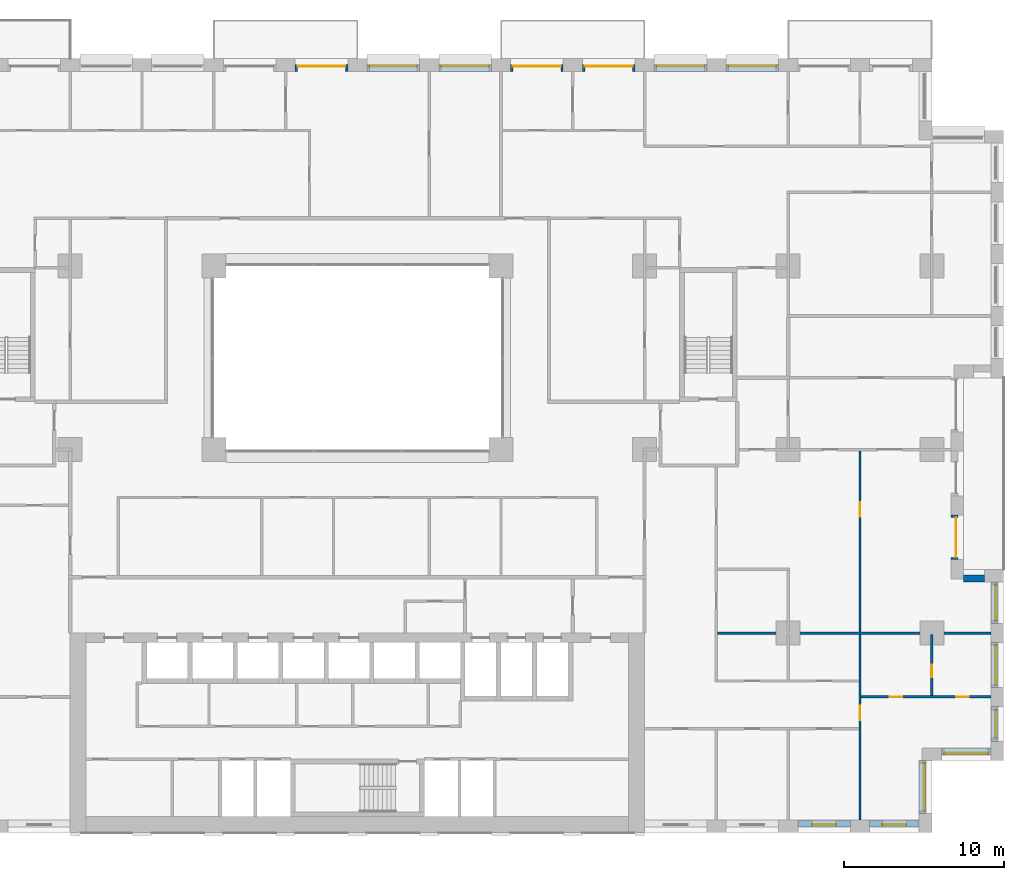
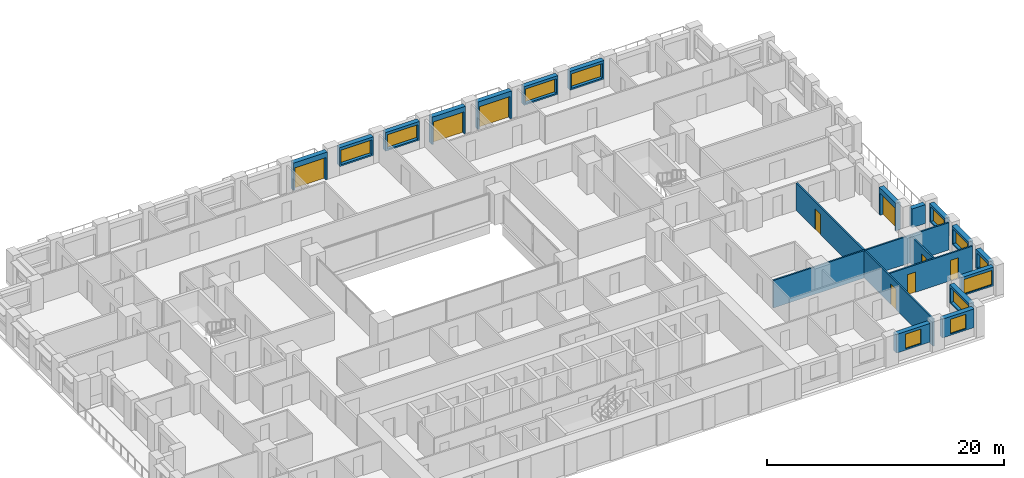
# One storey, part 17 of 21: 21 walls, 11 windows, 9 doors, 20 openings.
"""IFC4 building model written with IfcOpenShell, lengths in metres."""

from ifc_helpers import new_model, si_unit, direction, frame, frame_2d, origin, place, context, subcontext, project, spatial, rectangle, extrude, material, layer, layer_set, type_object, element, fill, save


model = new_model("IFC4")

# Units and contexts
model_context = context("Model", 3, precision=1e-05, world=origin(), true_north=direction((0.0, 1.0)))
body_context = subcontext(model_context, "Body", "Model", "MODEL_VIEW")
ifc_project = project(units=[si_unit("LENGTHUNIT", "METRE"), si_unit("AREAUNIT", "SQUARE_METRE"), si_unit("VOLUMEUNIT", "CUBIC_METRE"), si_unit("PLANEANGLEUNIT", "RADIAN"), si_unit("MASSUNIT", "GRAM", prefix="KILO")], contexts=[model_context])

# Site, building, storey
site_placement = place(None, origin())
site = spatial("IfcSite", under=ifc_project, at=site_placement, CompositionType="ELEMENT")
building_placement = place(site_placement, origin())
building = spatial("IfcBuilding", under=site, at=building_placement, Name="Brigalow Station Residences", CompositionType="ELEMENT")
storey_placement = place(building_placement, frame((0.0, 0.0, 47.85009765625)))
storey = spatial("IfcBuildingStorey", under=building, at=storey_placement, Name="L13", CompositionType="ELEMENT", Elevation=47.85009765625)

# Wall, opening, window
ifc_material_1 = material(Name="Clay brick masonry", Category="masonry")
ifc_layer_1 = layer(ifc_material_1, 0.449951171875)
ifc_layer_set_1 = layer_set([ifc_layer_1], Name="BRICK INFILL WALL 450")
wall_type_1 = type_object("IfcWallType", Name="BRICK INFILL WALL 450", PredefinedType="SOLIDWALL", material=ifc_layer_set_1)
wall_1_placement = place(storey_placement, frame((63.60009765625, 0.574951171875, 0.89990234375), z_axis=(0.0, 0.0, 1.0), x_axis=(1.0, 0.0, 0.0)))
wall_1 = element("IfcWall", 1, at=wall_1_placement, inside=storey, type_object=wall_type_1, Name="L13/ewall/W-L13-7", PredefinedType="SOLIDWALL", context=body_context, shape_type="SweptSolid", body=[
    extrude(rectangle(XDim=3.2998046875, YDim=0.449951171875, at=frame_2d((1.64990234375, 0.0))), origin(), (0.0, 0.0, 1.0), 1.929931640625),
])
opening_1_placement = place(wall_1_placement, frame((0.89990234375, 0.0, 0.14990234375)))
opening_1 = element("IfcOpeningElement", 2, at=opening_1_placement, cuts=wall_1, Name="Opening WT-1", PredefinedType="OPENING", context=body_context, shape_type="SweptSolid", body=[
    extrude(rectangle(XDim=1.5, YDim=1.5, at=frame_2d((0.75, 0.75))), frame((0.0, 0.23486328125, 0.0), z_axis=(0.0, -1.0, 0.0), x_axis=(1.0, 0.0, 0.0)), (0.0, 0.0, 1.0), 0.469970703125),
])
ifc_material_2 = material(Name="Anodised aluminium frame with double glazing", Category="aluminium")
window_type_1 = type_object("IfcWindowType", Name="WINDOW 1500x1500", PartitioningType="SINGLE_PANEL", PredefinedType="WINDOW", material=ifc_material_2)
window_1_placement = place(opening_1_placement, origin())
window_1 = element("IfcWindow", 3, at=window_1_placement, inside=storey, type_object=window_type_1, Name="L13/window/W-L13-7", OverallHeight=1.5, OverallWidth=1.5, PartitioningType="SINGLE_PANEL", PredefinedType="WINDOW", context=body_context, shape_type="SweptSolid", body=[
    extrude(rectangle(XDim=1.5, YDim=1.5, at=frame_2d((0.75, 0.75))), frame((0.0, -0.06494140625, 0.0), z_axis=(0.0, -1.0, 0.0), x_axis=(1.0, 0.0, 0.0)), (0.0, 0.0, 1.0), 0.06005859375),
])
fill(opening_1, window_1)

wall_2_placement = place(storey_placement, frame((68.10009765625, 0.574951171875, 0.89990234375), z_axis=(0.0, 0.0, 1.0), x_axis=(1.0, 0.0, 0.0)))
wall_2 = element("IfcWall", 4, at=wall_2_placement, inside=storey, type_object=wall_type_1, Name="L13/ewall/W-L13-8", PredefinedType="SOLIDWALL", context=body_context, shape_type="SweptSolid", body=[
    extrude(rectangle(XDim=3.099853515625, YDim=0.449951171875, at=frame_2d((1.5498046875, 0.0))), origin(), (0.0, 0.0, 1.0), 1.929931640625),
])
opening_2_placement = place(wall_2_placement, frame((0.800048828125, 0.0, 0.14990234375)))
opening_2 = element("IfcOpeningElement", 5, at=opening_2_placement, cuts=wall_2, Name="Opening WT-1", PredefinedType="OPENING", context=body_context, shape_type="SweptSolid", body=[
    extrude(rectangle(XDim=1.5, YDim=1.5, at=frame_2d((0.75, 0.75))), frame((0.0, 0.23486328125, 0.0), z_axis=(0.0, -1.0, 0.0), x_axis=(1.0, 0.0, 0.0)), (0.0, 0.0, 1.0), 0.469970703125),
])
window_2_placement = place(opening_2_placement, origin())
window_2 = element("IfcWindow", 6, at=window_2_placement, inside=storey, type_object=window_type_1, Name="L13/window/W-L13-8", OverallHeight=1.5, OverallWidth=1.5, PartitioningType="SINGLE_PANEL", PredefinedType="WINDOW", context=body_context, shape_type="SweptSolid", body=[
    extrude(rectangle(XDim=1.5, YDim=1.5, at=frame_2d((0.75, 0.75))), frame((0.0, -0.06494140625, 0.0), z_axis=(0.0, -1.0, 0.0), x_axis=(1.0, 0.0, 0.0)), (0.0, 0.0, 1.0), 0.06005859375),
])
fill(opening_2, window_2)

wall_3_placement = place(storey_placement, frame((71.425048828125, 1.199951171875, 0.89990234375), z_axis=(0.0, 0.0, 1.0), x_axis=(0.0, 1.0, 0.0)))
wall_3 = element("IfcWall", 7, at=wall_3_placement, inside=storey, type_object=wall_type_1, Name="L13/ewall/W-L13-9", PredefinedType="SOLIDWALL", context=body_context, shape_type="SweptSolid", body=[
    extrude(rectangle(XDim=3.300048828125, YDim=0.449951171875, at=frame_2d((1.64990234375, 0.0))), origin(), (0.0, 0.0, 1.0), 1.929931640625),
])
opening_3_placement = place(wall_3_placement, frame((0.14990234375, 0.0, 0.14990234375)))
opening_3 = element("IfcOpeningElement", 8, at=opening_3_placement, cuts=wall_3, Name="Opening WT-2", PredefinedType="OPENING", context=body_context, shape_type="SweptSolid", body=[
    extrude(rectangle(XDim=3.0, YDim=1.5, at=frame_2d((1.5, 0.75))), frame((0.0, 0.23486328125, 0.0), z_axis=(0.0, -1.0, 0.0), x_axis=(1.0, 0.0, 0.0)), (0.0, 0.0, 1.0), 0.469970703125),
])
ifc_material_3 = material(Name="Anodised aluminium frame with double glazing", Category="aluminium")
window_type_2 = type_object("IfcWindowType", Name="WINDOW 3000x1500", PartitioningType="SINGLE_PANEL", PredefinedType="WINDOW", material=ifc_material_3)
window_3_placement = place(opening_3_placement, origin())
window_3 = element("IfcWindow", 9, at=window_3_placement, inside=storey, type_object=window_type_2, Name="L13/window/W-L13-9", OverallHeight=1.5, OverallWidth=3.0, PartitioningType="SINGLE_PANEL", PredefinedType="WINDOW", context=body_context, shape_type="SweptSolid", body=[
    extrude(rectangle(XDim=3.0, YDim=1.5, at=frame_2d((1.5, 0.75))), frame((0.0, -0.06494140625, 0.0), z_axis=(0.0, -1.0, 0.0), x_axis=(1.0, 0.0, 0.0)), (0.0, 0.0, 1.0), 0.06005859375),
])
fill(opening_3, window_3)

wall_4_placement = place(storey_placement, frame((72.60009765625, 5.074951171875, 0.89990234375), z_axis=(0.0, 0.0, 1.0), x_axis=(1.0, 0.0, 0.0)))
wall_4 = element("IfcWall", 10, at=wall_4_placement, inside=storey, type_object=wall_type_1, Name="L13/ewall/W-L13-10", PredefinedType="SOLIDWALL", context=body_context, shape_type="SweptSolid", body=[
    extrude(rectangle(XDim=3.099853515625, YDim=0.449951171875, at=frame_2d((1.5498046875, 0.0))), origin(), (0.0, 0.0, 1.0), 1.929931640625),
])
opening_4_placement = place(wall_4_placement, frame((0.175048828125, 0.0, 0.14990234375)))
opening_4 = element("IfcOpeningElement", 11, at=opening_4_placement, cuts=wall_4, Name="Opening WT-3", PredefinedType="OPENING", context=body_context, shape_type="SweptSolid", body=[
    extrude(rectangle(XDim=2.75, YDim=1.5, at=frame_2d((1.375, 0.75))), frame((0.0, 0.23486328125, 0.0), z_axis=(0.0, -1.0, 0.0), x_axis=(1.0, 0.0, 0.0)), (0.0, 0.0, 1.0), 0.469970703125),
])
ifc_material_4 = material(Name="Anodised aluminium frame with double glazing", Category="aluminium")
window_type_3 = type_object("IfcWindowType", Name="WINDOW 2750x1500", PartitioningType="SINGLE_PANEL", PredefinedType="WINDOW", material=ifc_material_4)
window_4_placement = place(opening_4_placement, origin())
window_4 = element("IfcWindow", 12, at=window_4_placement, inside=storey, type_object=window_type_3, Name="L13/window/W-L13-10", OverallHeight=1.5, OverallWidth=2.75, PartitioningType="SINGLE_PANEL", PredefinedType="WINDOW", context=body_context, shape_type="SweptSolid", body=[
    extrude(rectangle(XDim=2.75, YDim=1.5, at=frame_2d((1.375, 0.75))), frame((0.0, -0.06494140625, 0.0), z_axis=(0.0, -1.0, 0.0), x_axis=(1.0, 0.0, 0.0)), (0.0, 0.0, 1.0), 0.06005859375),
])
fill(opening_4, window_4)

wall_5_placement = place(storey_placement, frame((75.925048828125, 5.699951171875, 0.89990234375), z_axis=(0.0, 0.0, 1.0), x_axis=(0.0, 1.0, 0.0)))
wall_5 = element("IfcWall", 13, at=wall_5_placement, inside=storey, type_object=wall_type_1, Name="L13/ewall/W-L13-11", PredefinedType="SOLIDWALL", context=body_context, shape_type="SweptSolid", body=[
    extrude(rectangle(XDim=2.199951171875, YDim=0.449951171875, at=frame_2d((1.10009765625, 0.0))), origin(), (0.0, 0.0, 1.0), 1.929931640625),
])
opening_5_placement = place(wall_5_placement, frame((0.22509765625, 0.0, 0.14990234375)))
opening_5 = element("IfcOpeningElement", 14, at=opening_5_placement, cuts=wall_5, Name="Opening WT-4", PredefinedType="OPENING", context=body_context, shape_type="SweptSolid", body=[
    extrude(rectangle(XDim=1.75, YDim=1.5, at=frame_2d((0.875, 0.75))), frame((0.0, 0.23486328125, 0.0), z_axis=(0.0, -1.0, 0.0), x_axis=(1.0, 0.0, 0.0)), (0.0, 0.0, 1.0), 0.469970703125),
])
ifc_material_5 = material(Name="Anodised aluminium frame with double glazing", Category="aluminium")
window_type_4 = type_object("IfcWindowType", Name="WINDOW 1750x1500", PartitioningType="SINGLE_PANEL", PredefinedType="WINDOW", material=ifc_material_5)
window_5_placement = place(opening_5_placement, origin())
window_5 = element("IfcWindow", 15, at=window_5_placement, inside=storey, type_object=window_type_4, Name="L13/window/W-L13-11", OverallHeight=1.5, OverallWidth=1.75, PartitioningType="SINGLE_PANEL", PredefinedType="WINDOW", context=body_context, shape_type="SweptSolid", body=[
    extrude(rectangle(XDim=1.75, YDim=1.5, at=frame_2d((0.875, 0.75))), frame((0.0, -0.06494140625, 0.0), z_axis=(0.0, -1.0, 0.0), x_axis=(1.0, 0.0, 0.0)), (0.0, 0.0, 1.0), 0.06005859375),
])
fill(opening_5, window_5)

wall_6_placement = place(storey_placement, frame((75.925048828125, 9.10009765625, 0.89990234375), z_axis=(0.0, 0.0, 1.0), x_axis=(0.0, 1.0, 0.0)))
wall_6 = element("IfcWall", 16, at=wall_6_placement, inside=storey, type_object=wall_type_1, Name="L13/ewall/W-L13-12", PredefinedType="SOLIDWALL", context=body_context, shape_type="SweptSolid", body=[
    extrude(rectangle(XDim=2.7998046875, YDim=0.449951171875, at=frame_2d((1.39990234375, 0.0))), origin(), (0.0, 0.0, 1.0), 1.929931640625),
])
opening_6_placement = place(wall_6_placement, frame((0.14990234375, 0.0, 0.14990234375)))
opening_6 = element("IfcOpeningElement", 17, at=opening_6_placement, cuts=wall_6, Name="Opening WT-5", PredefinedType="OPENING", context=body_context, shape_type="SweptSolid", body=[
    extrude(rectangle(XDim=2.5, YDim=1.5, at=frame_2d((1.25, 0.75))), frame((0.0, 0.23486328125, 0.0), z_axis=(0.0, -1.0, 0.0), x_axis=(1.0, 0.0, 0.0)), (0.0, 0.0, 1.0), 0.469970703125),
])
ifc_material_6 = material(Name="Anodised aluminium frame with double glazing", Category="aluminium")
window_type_5 = type_object("IfcWindowType", Name="WINDOW 2500x1500", PartitioningType="SINGLE_PANEL", PredefinedType="WINDOW", material=ifc_material_6)
window_6_placement = place(opening_6_placement, origin())
window_6 = element("IfcWindow", 18, at=window_6_placement, inside=storey, type_object=window_type_5, Name="L13/window/W-L13-12", OverallHeight=1.5, OverallWidth=2.5, PartitioningType="SINGLE_PANEL", PredefinedType="WINDOW", context=body_context, shape_type="SweptSolid", body=[
    extrude(rectangle(XDim=2.5, YDim=1.5, at=frame_2d((1.25, 0.75))), frame((0.0, -0.06494140625, 0.0), z_axis=(0.0, -1.0, 0.0), x_axis=(1.0, 0.0, 0.0)), (0.0, 0.0, 1.0), 0.06005859375),
])
fill(opening_6, window_6)

wall_7_placement = place(storey_placement, frame((75.925048828125, 13.10009765625, 0.89990234375), z_axis=(0.0, 0.0, 1.0), x_axis=(0.0, 1.0, 0.0)))
wall_7 = element("IfcWall", 19, at=wall_7_placement, inside=storey, type_object=wall_type_1, Name="L13/ewall/W-L13-13", PredefinedType="SOLIDWALL", context=body_context, shape_type="SweptSolid", body=[
    extrude(rectangle(XDim=2.599853515625, YDim=0.449951171875, at=frame_2d((1.2998046875, 0.0))), origin(), (0.0, 0.0, 1.0), 1.929931640625),
])
opening_7_placement = place(wall_7_placement, frame((0.175048828125, 0.0, 0.14990234375)))
opening_7 = element("IfcOpeningElement", 20, at=opening_7_placement, cuts=wall_7, Name="Opening WT-6", PredefinedType="OPENING", context=body_context, shape_type="SweptSolid", body=[
    extrude(rectangle(XDim=2.25, YDim=1.5, at=frame_2d((1.125, 0.75))), frame((0.0, 0.23486328125, 0.0), z_axis=(0.0, -1.0, 0.0), x_axis=(1.0, 0.0, 0.0)), (0.0, 0.0, 1.0), 0.469970703125),
])
ifc_material_7 = material(Name="Anodised aluminium frame with double glazing", Category="aluminium")
window_type_6 = type_object("IfcWindowType", Name="WINDOW 2250x1500", PartitioningType="SINGLE_PANEL", PredefinedType="WINDOW", material=ifc_material_7)
window_7_placement = place(opening_7_placement, origin())
window_7 = element("IfcWindow", 21, at=window_7_placement, inside=storey, type_object=window_type_6, Name="L13/window/W-L13-13", OverallHeight=1.5, OverallWidth=2.25, PartitioningType="SINGLE_PANEL", PredefinedType="WINDOW", context=body_context, shape_type="SweptSolid", body=[
    extrude(rectangle(XDim=2.25, YDim=1.5, at=frame_2d((1.125, 0.75))), frame((0.0, -0.06494140625, 0.0), z_axis=(0.0, -1.0, 0.0), x_axis=(1.0, 0.0, 0.0)), (0.0, 0.0, 1.0), 0.06005859375),
])
fill(opening_7, window_7)

# Wall
wall_8_placement = place(storey_placement, frame((75.300048828125, 15.925048828125, 0.89990234375), z_axis=(0.0, 0.0, 1.0), x_axis=(-1.0, 0.0, 0.0)))
element("IfcWall", 22, at=wall_8_placement, inside=storey, type_object=wall_type_1, Name="L13/ewall/W-L13-14", PredefinedType="SOLIDWALL", context=body_context, shape_type="SweptSolid", body=[
    extrude(rectangle(XDim=1.300048828125, YDim=0.449951171875, at=frame_2d((0.64990234375, 0.0))), origin(), (0.0, 0.0, 1.0), 1.929931640625),
])

# Wall, opening, door
wall_9_placement = place(storey_placement, frame((73.425048828125, 17.10009765625, 0.0), z_axis=(0.0, 0.0, 1.0), x_axis=(0.0, 1.0, 0.0)))
wall_9 = element("IfcWall", 23, at=wall_9_placement, inside=storey, type_object=wall_type_1, Name="L13/ewall/W-L13-15", PredefinedType="SOLIDWALL", context=body_context, shape_type="SweptSolid", body=[
    extrude(rectangle(XDim=2.7998046875, YDim=0.449951171875, at=frame_2d((1.39990234375, 0.0))), origin(), (0.0, 0.0, 1.0), 2.829833984375),
])
opening_8_placement = place(wall_9_placement, frame((0.14990234375, 0.0, 0.0)))
opening_8 = element("IfcOpeningElement", 24, at=opening_8_placement, cuts=wall_9, Name="Opening D-B2500", PredefinedType="OPENING", context=body_context, shape_type="SweptSolid", body=[
    extrude(rectangle(XDim=2.5, YDim=2.300048828125, at=frame_2d((1.25, 1.14990234375))), frame((0.0, 0.23486328125, 0.0), z_axis=(0.0, -1.0, 0.0), x_axis=(1.0, 0.0, 0.0)), (0.0, 0.0, 1.0), 0.469970703125),
])
ifc_material_8 = material(Name="Anodised aluminium frame with double glazing", Category="aluminium")
door_type_1 = type_object("IfcDoorType", Name="BALCONY SLIDING DOOR 2500x2300", OperationType="SLIDING_TO_LEFT", PredefinedType="DOOR", material=ifc_material_8)
door_1_placement = place(opening_8_placement, origin())
door_1 = element("IfcDoor", 25, at=door_1_placement, inside=storey, type_object=door_type_1, Name="L13/balcony-door/W-L13-15", OperationType="SLIDING_TO_LEFT", OverallHeight=2.300048828125, OverallWidth=2.5, PredefinedType="DOOR", context=body_context, shape_type="SweptSolid", body=[
    extrude(rectangle(XDim=2.5, YDim=2.300048828125, at=frame_2d((1.25, 1.14990234375))), frame((0.0, -0.06982421875, 0.0), z_axis=(0.0, -1.0, 0.0), x_axis=(1.0, 0.0, 0.0)), (0.0, 0.0, 1.0), 0.050048828125),
])
fill(opening_8, door_1)

# Wall, opening, window
wall_10_placement = place(storey_placement, frame((62.39990234375, 47.925048828125, 0.89990234375), z_axis=(0.0, 0.0, 1.0), x_axis=(-1.0, 0.0, 0.0)))
wall_10 = element("IfcWall", 26, at=wall_10_placement, inside=storey, type_object=wall_type_1, Name="L13/ewall/W-L13-27", PredefinedType="SOLIDWALL", context=body_context, shape_type="SweptSolid", body=[
    extrude(rectangle(XDim=3.2998046875, YDim=0.449951171875, at=frame_2d((1.64990234375, 0.0))), origin(), (0.0, 0.0, 1.0), 1.929931640625),
])
opening_9_placement = place(wall_10_placement, frame((0.14990234375, 0.0, 0.14990234375)))
opening_9 = element("IfcOpeningElement", 27, at=opening_9_placement, cuts=wall_10, Name="Opening WT-2", PredefinedType="OPENING", context=body_context, shape_type="SweptSolid", body=[
    extrude(rectangle(XDim=3.0, YDim=1.5, at=frame_2d((1.5, 0.75))), frame((0.0, 0.23486328125, 0.0), z_axis=(0.0, -1.0, 0.0), x_axis=(1.0, 0.0, 0.0)), (0.0, 0.0, 1.0), 0.469970703125),
])
window_8_placement = place(opening_9_placement, origin())
window_8 = element("IfcWindow", 28, at=window_8_placement, inside=storey, type_object=window_type_2, Name="L13/window/W-L13-27", OverallHeight=1.5, OverallWidth=3.0, PartitioningType="SINGLE_PANEL", PredefinedType="WINDOW", context=body_context, shape_type="SweptSolid", body=[
    extrude(rectangle(XDim=3.0, YDim=1.5, at=frame_2d((1.5, 0.75))), frame((0.0, -0.06494140625, 0.0), z_axis=(0.0, -1.0, 0.0), x_axis=(1.0, 0.0, 0.0)), (0.0, 0.0, 1.0), 0.06005859375),
])
fill(opening_9, window_8)

wall_11_placement = place(storey_placement, frame((57.89990234375, 47.925048828125, 0.89990234375), z_axis=(0.0, 0.0, 1.0), x_axis=(-1.0, 0.0, 0.0)))
wall_11 = element("IfcWall", 29, at=wall_11_placement, inside=storey, type_object=wall_type_1, Name="L13/ewall/W-L13-28", PredefinedType="SOLIDWALL", context=body_context, shape_type="SweptSolid", body=[
    extrude(rectangle(XDim=3.2998046875, YDim=0.449951171875, at=frame_2d((1.64990234375, 0.0))), origin(), (0.0, 0.0, 1.0), 1.929931640625),
])
opening_10_placement = place(wall_11_placement, frame((0.14990234375, 0.0, 0.14990234375)))
opening_10 = element("IfcOpeningElement", 30, at=opening_10_placement, cuts=wall_11, Name="Opening WT-2", PredefinedType="OPENING", context=body_context, shape_type="SweptSolid", body=[
    extrude(rectangle(XDim=3.0, YDim=1.5, at=frame_2d((1.5, 0.75))), frame((0.0, 0.23486328125, 0.0), z_axis=(0.0, -1.0, 0.0), x_axis=(1.0, 0.0, 0.0)), (0.0, 0.0, 1.0), 0.469970703125),
])
window_9_placement = place(opening_10_placement, origin())
window_9 = element("IfcWindow", 31, at=window_9_placement, inside=storey, type_object=window_type_2, Name="L13/window/W-L13-28", OverallHeight=1.5, OverallWidth=3.0, PartitioningType="SINGLE_PANEL", PredefinedType="WINDOW", context=body_context, shape_type="SweptSolid", body=[
    extrude(rectangle(XDim=3.0, YDim=1.5, at=frame_2d((1.5, 0.75))), frame((0.0, -0.06494140625, 0.0), z_axis=(0.0, -1.0, 0.0), x_axis=(1.0, 0.0, 0.0)), (0.0, 0.0, 1.0), 0.06005859375),
])
fill(opening_10, window_9)

# Wall, opening, door
wall_12_placement = place(storey_placement, frame((53.39990234375, 47.925048828125, 0.0), z_axis=(0.0, 0.0, 1.0), x_axis=(-1.0, 0.0, 0.0)))
wall_12 = element("IfcWall", 32, at=wall_12_placement, inside=storey, type_object=wall_type_1, Name="L13/ewall/W-L13-29", PredefinedType="SOLIDWALL", context=body_context, shape_type="SweptSolid", body=[
    extrude(rectangle(XDim=3.2998046875, YDim=0.449951171875, at=frame_2d((1.64990234375, 0.0))), origin(), (0.0, 0.0, 1.0), 2.829833984375),
])
opening_11_placement = place(wall_12_placement, frame((0.14990234375, 0.0, 0.0)))
opening_11 = element("IfcOpeningElement", 33, at=opening_11_placement, cuts=wall_12, Name="Opening D-B3000", PredefinedType="OPENING", context=body_context, shape_type="SweptSolid", body=[
    extrude(rectangle(XDim=3.0, YDim=2.300048828125, at=frame_2d((1.5, 1.14990234375))), frame((0.0, 0.23486328125, 0.0), z_axis=(0.0, -1.0, 0.0), x_axis=(1.0, 0.0, 0.0)), (0.0, 0.0, 1.0), 0.469970703125),
])
ifc_material_9 = material(Name="Anodised aluminium frame with double glazing", Category="aluminium")
door_type_2 = type_object("IfcDoorType", Name="BALCONY SLIDING DOOR 3000x2300", OperationType="SLIDING_TO_LEFT", PredefinedType="DOOR", material=ifc_material_9)
door_2_placement = place(opening_11_placement, origin())
door_2 = element("IfcDoor", 34, at=door_2_placement, inside=storey, type_object=door_type_2, Name="L13/balcony-door/W-L13-29", OperationType="SLIDING_TO_LEFT", OverallHeight=2.300048828125, OverallWidth=3.0, PredefinedType="DOOR", context=body_context, shape_type="SweptSolid", body=[
    extrude(rectangle(XDim=3.0, YDim=2.300048828125, at=frame_2d((1.5, 1.14990234375))), frame((0.0, -0.06982421875, 0.0), z_axis=(0.0, -1.0, 0.0), x_axis=(1.0, 0.0, 0.0)), (0.0, 0.0, 1.0), 0.050048828125),
])
fill(opening_11, door_2)

wall_13_placement = place(storey_placement, frame((48.89990234375, 47.925048828125, 0.0), z_axis=(0.0, 0.0, 1.0), x_axis=(-1.0, 0.0, 0.0)))
wall_13 = element("IfcWall", 35, at=wall_13_placement, inside=storey, type_object=wall_type_1, Name="L13/ewall/W-L13-30", PredefinedType="SOLIDWALL", context=body_context, shape_type="SweptSolid", body=[
    extrude(rectangle(XDim=3.2998046875, YDim=0.449951171875, at=frame_2d((1.64990234375, 0.0))), origin(), (0.0, 0.0, 1.0), 2.829833984375),
])
opening_12_placement = place(wall_13_placement, frame((0.14990234375, 0.0, 0.0)))
opening_12 = element("IfcOpeningElement", 36, at=opening_12_placement, cuts=wall_13, Name="Opening D-B3000", PredefinedType="OPENING", context=body_context, shape_type="SweptSolid", body=[
    extrude(rectangle(XDim=3.0, YDim=2.300048828125, at=frame_2d((1.5, 1.14990234375))), frame((0.0, 0.23486328125, 0.0), z_axis=(0.0, -1.0, 0.0), x_axis=(1.0, 0.0, 0.0)), (0.0, 0.0, 1.0), 0.469970703125),
])
door_3_placement = place(opening_12_placement, origin())
door_3 = element("IfcDoor", 37, at=door_3_placement, inside=storey, type_object=door_type_2, Name="L13/balcony-door/W-L13-30", OperationType="SLIDING_TO_LEFT", OverallHeight=2.300048828125, OverallWidth=3.0, PredefinedType="DOOR", context=body_context, shape_type="SweptSolid", body=[
    extrude(rectangle(XDim=3.0, YDim=2.300048828125, at=frame_2d((1.5, 1.14990234375))), frame((0.0, -0.06982421875, 0.0), z_axis=(0.0, -1.0, 0.0), x_axis=(1.0, 0.0, 0.0)), (0.0, 0.0, 1.0), 0.050048828125),
])
fill(opening_12, door_3)

# Wall, opening, window
wall_14_placement = place(storey_placement, frame((44.39990234375, 47.925048828125, 0.89990234375), z_axis=(0.0, 0.0, 1.0), x_axis=(-1.0, 0.0, 0.0)))
wall_14 = element("IfcWall", 38, at=wall_14_placement, inside=storey, type_object=wall_type_1, Name="L13/ewall/W-L13-31", PredefinedType="SOLIDWALL", context=body_context, shape_type="SweptSolid", body=[
    extrude(rectangle(XDim=3.2998046875, YDim=0.449951171875, at=frame_2d((1.64990234375, 0.0))), origin(), (0.0, 0.0, 1.0), 1.929931640625),
])
opening_13_placement = place(wall_14_placement, frame((0.14990234375, 0.0, 0.14990234375)))
opening_13 = element("IfcOpeningElement", 39, at=opening_13_placement, cuts=wall_14, Name="Opening WT-2", PredefinedType="OPENING", context=body_context, shape_type="SweptSolid", body=[
    extrude(rectangle(XDim=3.0, YDim=1.5, at=frame_2d((1.5, 0.75))), frame((0.0, 0.23486328125, 0.0), z_axis=(0.0, -1.0, 0.0), x_axis=(1.0, 0.0, 0.0)), (0.0, 0.0, 1.0), 0.469970703125),
])
window_10_placement = place(opening_13_placement, origin())
window_10 = element("IfcWindow", 40, at=window_10_placement, inside=storey, type_object=window_type_2, Name="L13/window/W-L13-31", OverallHeight=1.5, OverallWidth=3.0, PartitioningType="SINGLE_PANEL", PredefinedType="WINDOW", context=body_context, shape_type="SweptSolid", body=[
    extrude(rectangle(XDim=3.0, YDim=1.5, at=frame_2d((1.5, 0.75))), frame((0.0, -0.06494140625, 0.0), z_axis=(0.0, -1.0, 0.0), x_axis=(1.0, 0.0, 0.0)), (0.0, 0.0, 1.0), 0.06005859375),
])
fill(opening_13, window_10)

wall_15_placement = place(storey_placement, frame((39.89990234375, 47.925048828125, 0.89990234375), z_axis=(0.0, 0.0, 1.0), x_axis=(-1.0, 0.0, 0.0)))
wall_15 = element("IfcWall", 41, at=wall_15_placement, inside=storey, type_object=wall_type_1, Name="L13/ewall/W-L13-32", PredefinedType="SOLIDWALL", context=body_context, shape_type="SweptSolid", body=[
    extrude(rectangle(XDim=3.2998046875, YDim=0.449951171875, at=frame_2d((1.64990234375, 0.0))), origin(), (0.0, 0.0, 1.0), 1.929931640625),
])
opening_14_placement = place(wall_15_placement, frame((0.14990234375, 0.0, 0.14990234375)))
opening_14 = element("IfcOpeningElement", 42, at=opening_14_placement, cuts=wall_15, Name="Opening WT-2", PredefinedType="OPENING", context=body_context, shape_type="SweptSolid", body=[
    extrude(rectangle(XDim=3.0, YDim=1.5, at=frame_2d((1.5, 0.75))), frame((0.0, 0.23486328125, 0.0), z_axis=(0.0, -1.0, 0.0), x_axis=(1.0, 0.0, 0.0)), (0.0, 0.0, 1.0), 0.469970703125),
])
window_11_placement = place(opening_14_placement, origin())
window_11 = element("IfcWindow", 43, at=window_11_placement, inside=storey, type_object=window_type_2, Name="L13/window/W-L13-32", OverallHeight=1.5, OverallWidth=3.0, PartitioningType="SINGLE_PANEL", PredefinedType="WINDOW", context=body_context, shape_type="SweptSolid", body=[
    extrude(rectangle(XDim=3.0, YDim=1.5, at=frame_2d((1.5, 0.75))), frame((0.0, -0.06494140625, 0.0), z_axis=(0.0, -1.0, 0.0), x_axis=(1.0, 0.0, 0.0)), (0.0, 0.0, 1.0), 0.06005859375),
])
fill(opening_14, window_11)

# Wall, opening, door
wall_16_placement = place(storey_placement, frame((35.39990234375, 47.925048828125, 0.0), z_axis=(0.0, 0.0, 1.0), x_axis=(-1.0, 0.0, 0.0)))
wall_16 = element("IfcWall", 44, at=wall_16_placement, inside=storey, type_object=wall_type_1, Name="L13/ewall/W-L13-33", PredefinedType="SOLIDWALL", context=body_context, shape_type="SweptSolid", body=[
    extrude(rectangle(XDim=3.2998046875, YDim=0.449951171875, at=frame_2d((1.64990234375, 0.0))), origin(), (0.0, 0.0, 1.0), 2.829833984375),
])
opening_15_placement = place(wall_16_placement, frame((0.14990234375, 0.0, 0.0)))
opening_15 = element("IfcOpeningElement", 45, at=opening_15_placement, cuts=wall_16, Name="Opening D-B3000", PredefinedType="OPENING", context=body_context, shape_type="SweptSolid", body=[
    extrude(rectangle(XDim=3.0, YDim=2.300048828125, at=frame_2d((1.5, 1.14990234375))), frame((0.0, 0.23486328125, 0.0), z_axis=(0.0, -1.0, 0.0), x_axis=(1.0, 0.0, 0.0)), (0.0, 0.0, 1.0), 0.469970703125),
])
door_4_placement = place(opening_15_placement, origin())
door_4 = element("IfcDoor", 46, at=door_4_placement, inside=storey, type_object=door_type_2, Name="L13/balcony-door/W-L13-33", OperationType="SLIDING_TO_LEFT", OverallHeight=2.300048828125, OverallWidth=3.0, PredefinedType="DOOR", context=body_context, shape_type="SweptSolid", body=[
    extrude(rectangle(XDim=3.0, YDim=2.300048828125, at=frame_2d((1.5, 1.14990234375))), frame((0.0, -0.06982421875, 0.0), z_axis=(0.0, -1.0, 0.0), x_axis=(1.0, 0.0, 0.0)), (0.0, 0.0, 1.0), 0.050048828125),
])
fill(opening_15, door_4)

# Wall, openings, doors
ifc_material_10 = material(Name="Plasterboard on steel stud partition", Category="steel")
ifc_layer_2 = layer(ifc_material_10, 0.14990234375)
ifc_layer_set_2 = layer_set([ifc_layer_2], Name="FLAT PARTITION 150")
wall_type_2 = type_object("IfcWallType", Name="FLAT PARTITION 150", PredefinedType="PARTITIONING", material=ifc_layer_set_2)
wall_17_placement = place(storey_placement, frame((67.574951171875, 8.5, 0.0), z_axis=(0.0, 0.0, 1.0), x_axis=(1.0, 0.0, 0.0)))
wall_17 = element("IfcWall", 47, at=wall_17_placement, inside=storey, type_object=wall_type_2, Name="PW-1D12", PredefinedType="PARTITIONING", context=body_context, shape_type="SweptSolid", body=[
    extrude(rectangle(XDim=8.125, YDim=0.14990234375, at=frame_2d((4.0625, 0.0))), origin(), (0.0, 0.0, 1.0), 2.829833984375),
])
opening_16_placement = place(wall_17_placement, frame((5.949951171875, 0.0, 0.0)))
opening_16 = element("IfcOpeningElement", 48, at=opening_16_placement, cuts=wall_17, Name="Opening D-1D57", PredefinedType="OPENING", context=body_context, shape_type="SweptSolid", body=[
    extrude(rectangle(XDim=0.800048828125, YDim=2.10009765625, at=frame_2d((0.39990234375, 1.050048828125))), frame((0.0, 0.0849609375, 0.0), z_axis=(0.0, -1.0, 0.0), x_axis=(1.0, 0.0, 0.0)), (0.0, 0.0, 1.0), 0.169921875),
])
opening_17_placement = place(wall_17_placement, frame((1.77490234375, 0.0, 0.0)))
opening_17 = element("IfcOpeningElement", 49, at=opening_17_placement, cuts=wall_17, Name="Opening D-1D65", PredefinedType="OPENING", context=body_context, shape_type="SweptSolid", body=[
    extrude(rectangle(XDim=0.800048828125, YDim=2.10009765625, at=frame_2d((0.39990234375, 1.050048828125))), frame((0.0, 0.0849609375, 0.0), z_axis=(0.0, -1.0, 0.0), x_axis=(1.0, 0.0, 0.0)), (0.0, 0.0, 1.0), 0.169921875),
])
ifc_material_11 = material(Name="Solid-core timber door leaf", Category="wood")
door_type_3 = type_object("IfcDoorType", Name="INTERNAL DOOR 800 x 2100", OperationType="SINGLE_SWING_LEFT", PredefinedType="DOOR", material=ifc_material_11)
door_5_placement = place(opening_16_placement, origin())
door_5 = element("IfcDoor", 50, at=door_5_placement, inside=storey, type_object=door_type_3, Name="D-1D57", OperationType="SINGLE_SWING_RIGHT", OverallHeight=2.10009765625, OverallWidth=0.800048828125, PredefinedType="DOOR", context=body_context, shape_type="SweptSolid", body=[
    extrude(rectangle(XDim=0.800048828125, YDim=2.10009765625, at=frame_2d((0.39990234375, 1.050048828125))), frame((0.0, 0.02490234375, 0.0), z_axis=(0.0, -1.0, 0.0), x_axis=(1.0, 0.0, 0.0)), (0.0, 0.0, 1.0), 0.050048828125),
])
fill(opening_16, door_5)
door_6_placement = place(opening_17_placement, origin())
door_6 = element("IfcDoor", 51, at=door_6_placement, inside=storey, type_object=door_type_3, Name="D-1D65", OperationType="SINGLE_SWING_LEFT", OverallHeight=2.10009765625, OverallWidth=0.800048828125, PredefinedType="DOOR", context=body_context, shape_type="SweptSolid", body=[
    extrude(rectangle(XDim=0.800048828125, YDim=2.10009765625, at=frame_2d((0.39990234375, 1.050048828125))), frame((0.0, 0.02490234375, 0.0), z_axis=(0.0, -1.0, 0.0), x_axis=(1.0, 0.0, 0.0)), (0.0, 0.0, 1.0), 0.050048828125),
])
fill(opening_17, door_6)

# Wall
wall_18_placement = place(storey_placement, frame((58.574951171875, 12.5, 0.0), z_axis=(0.0, 0.0, 1.0), x_axis=(1.0, 0.0, 0.0)))
element("IfcWall", 52, at=wall_18_placement, inside=storey, type_object=wall_type_2, Name="PW-1D14", PredefinedType="PARTITIONING", context=body_context, shape_type="SweptSolid", body=[
    extrude(rectangle(XDim=17.125, YDim=0.14990234375, at=frame_2d((8.5625, 0.0))), origin(), (0.0, 0.0, 1.0), 2.829833984375),
])

# Wall, opening, door
wall_19_placement = place(storey_placement, frame((72.0, 8.574951171875, 0.0), z_axis=(0.0, 0.0, 1.0), x_axis=(0.0, 1.0, 0.0)))
wall_19 = element("IfcWall", 53, at=wall_19_placement, inside=storey, type_object=wall_type_2, Name="PW-1D75", PredefinedType="PARTITIONING", context=body_context, shape_type="SweptSolid", body=[
    extrude(rectangle(XDim=3.85009765625, YDim=0.14990234375, at=frame_2d((1.925048828125, 0.0))), origin(), (0.0, 0.0, 1.0), 2.829833984375),
])
opening_18_placement = place(wall_19_placement, frame((1.14990234375, 0.0, 0.0)))
opening_18 = element("IfcOpeningElement", 54, at=opening_18_placement, cuts=wall_19, Name="Opening D-1D58", PredefinedType="OPENING", context=body_context, shape_type="SweptSolid", body=[
    extrude(rectangle(XDim=0.800048828125, YDim=2.10009765625, at=frame_2d((0.39990234375, 1.050048828125))), frame((0.0, 0.0849609375, 0.0), z_axis=(0.0, -1.0, 0.0), x_axis=(1.0, 0.0, 0.0)), (0.0, 0.0, 1.0), 0.169921875),
])
door_7_placement = place(opening_18_placement, frame((0.800048828125, 0.0, 0.0), z_axis=(0.0, 0.0, 1.0), x_axis=(-1.0, 0.0, 0.0)))
door_7 = element("IfcDoor", 55, at=door_7_placement, inside=storey, type_object=door_type_3, Name="D-1D58", OperationType="SINGLE_SWING_RIGHT", OverallHeight=2.10009765625, OverallWidth=0.800048828125, PredefinedType="DOOR", context=body_context, shape_type="SweptSolid", body=[
    extrude(rectangle(XDim=0.800048828125, YDim=2.10009765625, at=frame_2d((0.39990234375, 1.050048828125))), frame((0.0, 0.02490234375, 0.0), z_axis=(0.0, -1.0, 0.0), x_axis=(1.0, 0.0, 0.0)), (0.0, 0.0, 1.0), 0.050048828125),
])
fill(opening_18, door_7)

wall_20_placement = place(storey_placement, frame((67.5, 0.800048828125, 0.0), z_axis=(0.0, 0.0, 1.0), x_axis=(0.0, 1.0, 0.0)))
wall_20 = element("IfcWall", 56, at=wall_20_placement, inside=storey, type_object=wall_type_2, Name="PW-1D79", PredefinedType="PARTITIONING", context=body_context, shape_type="SweptSolid", body=[
    extrude(rectangle(XDim=11.625, YDim=0.14990234375, at=frame_2d((5.8125, 0.0))), origin(), (0.0, 0.0, 1.0), 2.829833984375),
])
opening_19_placement = place(wall_20_placement, frame((6.25, 0.0, 0.0)))
opening_19 = element("IfcOpeningElement", 57, at=opening_19_placement, cuts=wall_20, Name="Opening D-1D61", PredefinedType="OPENING", context=body_context, shape_type="SweptSolid", body=[
    extrude(rectangle(XDim=0.89990234375, YDim=2.10009765625, at=frame_2d((0.449951171875, 1.050048828125))), frame((0.0, 0.0849609375, 0.0), z_axis=(0.0, -1.0, 0.0), x_axis=(1.0, 0.0, 0.0)), (0.0, 0.0, 1.0), 0.169921875),
])
ifc_material_12 = material(Name="Solid-core timber door leaf", Category="wood")
door_type_4 = type_object("IfcDoorType", Name="INTERNAL DOOR 900 x 2100", OperationType="SINGLE_SWING_LEFT", PredefinedType="DOOR", material=ifc_material_12)
door_8_placement = place(opening_19_placement, frame((0.89990234375, 0.0, 0.0), z_axis=(0.0, 0.0, 1.0), x_axis=(-1.0, 0.0, 0.0)))
door_8 = element("IfcDoor", 58, at=door_8_placement, inside=storey, type_object=door_type_4, Name="D-1D61", OperationType="SINGLE_SWING_LEFT", OverallHeight=2.10009765625, OverallWidth=0.89990234375, PredefinedType="DOOR", context=body_context, shape_type="SweptSolid", body=[
    extrude(rectangle(XDim=0.89990234375, YDim=2.10009765625, at=frame_2d((0.449951171875, 1.050048828125))), frame((0.0, 0.02490234375, 0.0), z_axis=(0.0, -1.0, 0.0), x_axis=(1.0, 0.0, 0.0)), (0.0, 0.0, 1.0), 0.050048828125),
])
fill(opening_19, door_8)

wall_21_placement = place(storey_placement, frame((67.5, 12.574951171875, 0.0), z_axis=(0.0, 0.0, 1.0), x_axis=(0.0, 1.0, 0.0)))
wall_21 = element("IfcWall", 59, at=wall_21_placement, inside=storey, type_object=wall_type_2, Name="PW-1D80", PredefinedType="PARTITIONING", context=body_context, shape_type="SweptSolid", body=[
    extrude(rectangle(XDim=11.35009765625, YDim=0.14990234375, at=frame_2d((5.675048828125, 0.0))), origin(), (0.0, 0.0, 1.0), 2.829833984375),
])
opening_20_placement = place(wall_21_placement, frame((7.22509765625, 0.0, 0.0)))
opening_20 = element("IfcOpeningElement", 60, at=opening_20_placement, cuts=wall_21, Name="Opening D-1D63", PredefinedType="OPENING", context=body_context, shape_type="SweptSolid", body=[
    extrude(rectangle(XDim=0.89990234375, YDim=2.10009765625, at=frame_2d((0.449951171875, 1.050048828125))), frame((0.0, 0.0849609375, 0.0), z_axis=(0.0, -1.0, 0.0), x_axis=(1.0, 0.0, 0.0)), (0.0, 0.0, 1.0), 0.169921875),
])
door_9_placement = place(opening_20_placement, frame((0.89990234375, 0.0, 0.0), z_axis=(0.0, 0.0, 1.0), x_axis=(-1.0, 0.0, 0.0)))
door_9 = element("IfcDoor", 61, at=door_9_placement, inside=storey, type_object=door_type_4, Name="D-1D63", OperationType="SINGLE_SWING_LEFT", OverallHeight=2.10009765625, OverallWidth=0.89990234375, PredefinedType="DOOR", context=body_context, shape_type="SweptSolid", body=[
    extrude(rectangle(XDim=0.89990234375, YDim=2.10009765625, at=frame_2d((0.449951171875, 1.050048828125))), frame((0.0, 0.02490234375, 0.0), z_axis=(0.0, -1.0, 0.0), x_axis=(1.0, 0.0, 0.0)), (0.0, 0.0, 1.0), 0.050048828125),
])
fill(opening_20, door_9)

save(model, "model.ifc")
